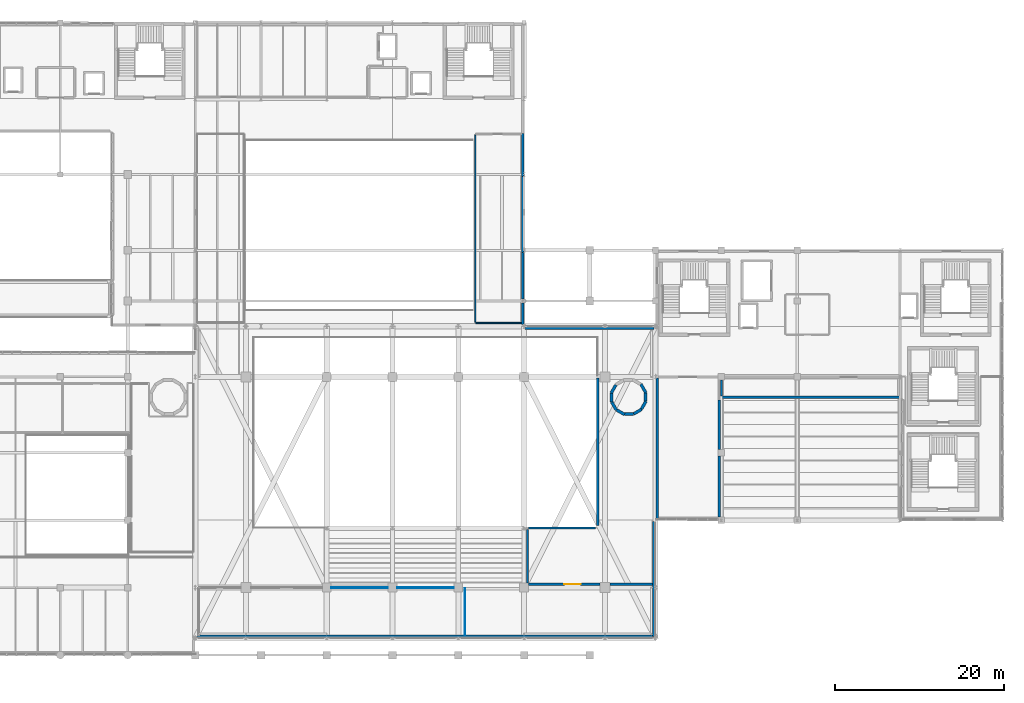
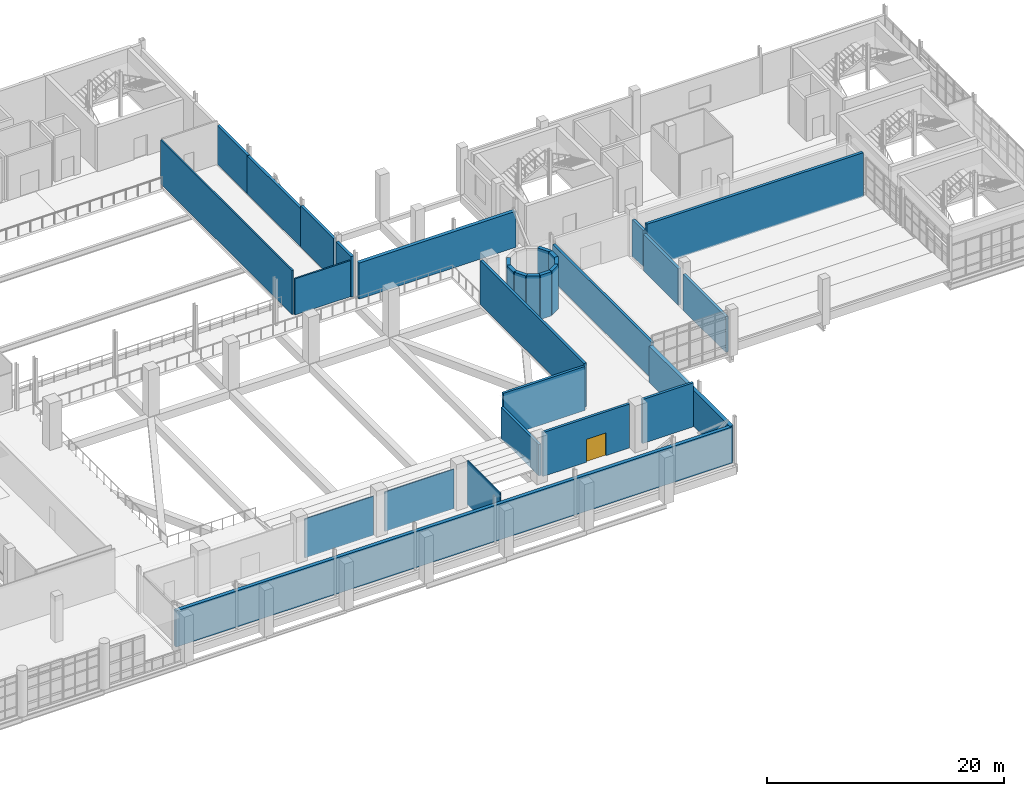
# One storey, part 88 of 100: 31 walls, 1 door, 1 opening.
"""IFC4 building model written with IfcOpenShell, lengths in metres."""

import ifcopenshell
import ifcopenshell.guid

model = None  # the IFC model being written
_history = None  # IfcOwnerHistory: only IFC2X3 demands one
_inside = {}  # id of a spatial element -> (the spatial element, [elements in it])
_under = {}  # id of a project, library or spatial element -> (it, [spatial elements below it])
_declared = {}  # id of a project -> (the project, [libraries it declares])
_typed = {}  # id of a type object -> (the type object, [elements of that type])
_made_of = {}  # id of a material, layer set ... -> (it, [elements and type objects made of it])


def new_model(schema):
    """Start an empty IFC model of exactly this schema.

    Asked for "IFC4X3", IfcOpenShell would pick the latest addendum, in which some entities
    have other attributes; the version numbers below select the first issue.
    IFC2X3 requires an IfcOwnerHistory on every rooted entity: one is made here for all.
    """
    global model, _history
    if schema == "IFC4X3":
        model = ifcopenshell.file(schema_version=(4, 3, 0, 0))
    else:
        model = ifcopenshell.file(schema=schema)
    _inside.clear()
    _under.clear()
    _declared.clear()
    _typed.clear()
    _made_of.clear()
    _history = None
    if model.schema == "IFC2X3":
        org = make("IfcOrganization", Name="unknown")
        user = make(
            "IfcPersonAndOrganization",
            ThePerson=make("IfcPerson", FamilyName="unknown"),
            TheOrganization=org,
        )
        app = make(
            "IfcApplication",
            ApplicationDeveloper=org,
            Version="unknown",
            ApplicationFullName="unknown",
            ApplicationIdentifier="unknown",
        )
        _history = make(
            "IfcOwnerHistory",
            OwningUser=user,
            OwningApplication=app,
            ChangeAction="ADDED",
            CreationDate=0,
        )
    return model


def make(cls, **values):
    """One entity of the class cls with the attributes given. An attribute that is None is left unset."""
    return model.create_entity(
        cls, **{name: value for name, value in values.items() if value is not None}
    )


def rooted(cls, **values):
    """An entity with a GlobalId (a new one), such as an element, a storey or a relation."""
    return make(cls, GlobalId=ifcopenshell.guid.new(), OwnerHistory=_history, **values)


def si_unit(unit_type, name, prefix=None):
    """IfcSIUnit, for example si_unit("LENGTHUNIT", "METRE", prefix="MILLI")."""
    return make("IfcSIUnit", UnitType=unit_type, Prefix=prefix, Name=name)


def derived_unit(unit_type, elements):
    """IfcDerivedUnit: a product of units, each with its exponent."""
    return make(
        "IfcDerivedUnit",
        Elements=[
            make("IfcDerivedUnitElement", Unit=unit, Exponent=power)
            for unit, power in elements
        ],
        UnitType=unit_type,
    )


def assignment(units):
    """IfcUnitAssignment: the units of a project."""
    return None if units is None else make("IfcUnitAssignment", Units=units)


def point(xyz):
    """IfcCartesianPoint."""
    return None if xyz is None else make("IfcCartesianPoint", Coordinates=xyz)


def direction(xyz):
    """IfcDirection."""
    return None if xyz is None else make("IfcDirection", DirectionRatios=xyz)


def frame(location, z_axis=None, x_axis=None):
    """IfcAxis2Placement3D, a coordinate frame: its origin and axes. An axis left out is left unset."""
    return make(
        "IfcAxis2Placement3D",
        Location=point(location),
        Axis=direction(z_axis),
        RefDirection=direction(x_axis),
    )


def frame_2d(location, x_axis=None):
    """IfcAxis2Placement2D, a coordinate frame in the plane: its origin and x axis."""
    return make(
        "IfcAxis2Placement2D", Location=point(location), RefDirection=direction(x_axis)
    )


def origin():
    """The frame at (0, 0, 0) with its axes left unset."""
    return frame((0.0, 0.0, 0.0))


def place(relative_to, where):
    """IfcLocalPlacement: puts the frame where relative to a parent placement (None: the world)."""
    return make(
        "IfcLocalPlacement", PlacementRelTo=relative_to, RelativePlacement=where
    )


def context(
    kind, dimensions, precision=None, world=None, true_north=None, identifier=None
):
    """IfcGeometricRepresentationContext, for example the 3D "Model" context."""
    return make(
        "IfcGeometricRepresentationContext",
        ContextIdentifier=identifier,
        ContextType=kind,
        CoordinateSpaceDimension=dimensions,
        Precision=precision,
        WorldCoordinateSystem=world,
        TrueNorth=true_north,
    )


def subcontext(parent, identifier, kind, view, scale=None):
    """IfcGeometricRepresentationSubContext, for example "Body" below "Model"."""
    return make(
        "IfcGeometricRepresentationSubContext",
        ContextIdentifier=identifier,
        ContextType=kind,
        ParentContext=parent,
        TargetScale=scale,
        TargetView=view,
    )


def project(units=None, contexts=None):
    """IfcProject with its units and contexts."""
    return rooted(
        "IfcProject",
        Name="project",
        RepresentationContexts=contexts,
        UnitsInContext=assignment(units),
    )


def spatial(cls, under=None, at=None, **own):
    """A site, building, storey or space (cls), placed at a placement, below another one or the project."""
    s = rooted(cls, ObjectPlacement=at, **own)
    if under is not None:
        _under.setdefault(under.id(), (under, []))[1].append(s)
    return s


def profile(cls, at=None, kind="AREA", **sizes):
    """A parametric profile (cls). Its sizes go by their IFC names, for example OverallWidth=200.0."""
    return make(cls, ProfileType=kind, Position=at, **sizes)


def rectangle(**sizes):
    """IfcRectangleProfileDef."""
    return profile("IfcRectangleProfileDef", **sizes)


def extrude(swept, where, along, depth):
    """IfcExtrudedAreaSolid: the profile swept, set in the frame where, extruded along a direction by depth."""
    return make(
        "IfcExtrudedAreaSolid",
        SweptArea=swept,
        Position=where,
        ExtrudedDirection=direction(along),
        Depth=depth,
    )


def shape(context_of_items, identifier, shape_type, items):
    """IfcShapeRepresentation: the items that make up one representation, for example the "Body"."""
    return make(
        "IfcShapeRepresentation",
        ContextOfItems=context_of_items,
        RepresentationIdentifier=identifier,
        RepresentationType=shape_type,
        Items=items,
    )


def material(Name=None, Category=None):
    """IfcMaterial."""
    return make("IfcMaterial", Name=Name, Category=Category)


def layer(
    of_material, thickness, ventilated=None, Name=None, Category=None, Priority=None
):
    """IfcMaterialLayer: one layer of a wall or slab, of a material (None: an air gap)."""
    return make(
        "IfcMaterialLayer",
        Material=of_material,
        LayerThickness=thickness,
        IsVentilated=ventilated,
        Name=Name,
        Category=Category,
        Priority=Priority,
    )


def layer_set(layers, Name=None):
    """IfcMaterialLayerSet."""
    return make("IfcMaterialLayerSet", MaterialLayers=layers, LayerSetName=Name)


def made_of(thing, what):
    """Note that an element or type object is made of a material, layer set ...; save() writes the relation."""
    if what is not None:
        _made_of.setdefault(what.id(), (what, []))[1].append(thing)
    return thing


def type_object(cls, material=None, **own):
    """A type object (cls), such as IfcWallType, which elements share."""
    return made_of(rooted(cls, **own), material)


def element(
    cls,
    number,
    at=None,
    inside=None,
    cuts=None,
    type_object=None,
    material=None,
    context=None,
    identifier="Body",
    shape_type=None,
    held_by="IfcProductDefinitionShape",
    body=None,
    shapes=None,
    **own,
):
    """One element of the class cls, such as IfcWall. Its Tag is "e" and its number.

    at: its placement. inside: the storey or other place that contains it. cuts: it is an
    opening in that element (IfcRelVoidsElement). A single representation is given by context,
    identifier, shape_type and body (its items); several are given by shapes. held_by: the class
    of the entity that holds the representations. save() writes the other relations.
    """
    e = rooted(cls, Tag="e%d" % number, ObjectPlacement=at, **own)
    if body is not None:
        shapes = [shape(context, identifier, shape_type, body)]
    if shapes is not None:
        e.Representation = make(held_by, Representations=shapes)
    if inside is not None:
        _inside.setdefault(inside.id(), (inside, []))[1].append(e)
    if cuts is not None:
        rooted(
            "IfcRelVoidsElement", RelatingBuildingElement=cuts, RelatedOpeningElement=e
        )
    if type_object is not None:
        _typed.setdefault(type_object.id(), (type_object, []))[1].append(e)
    return made_of(e, material)


def fill(opening, filler):
    """IfcRelFillsElement: the door or window that sits in an opening."""
    return rooted(
        "IfcRelFillsElement",
        RelatingOpeningElement=opening,
        RelatedBuildingElement=filler,
    )


def aggregate(whole, parts):
    """IfcRelAggregates: a whole, such as a stair, and the parts it consists of."""
    return rooted("IfcRelAggregates", RelatingObject=whole, RelatedObjects=parts)


def save(model, path):
    """Write the relations noted so far, then the file.

    IfcRelAggregates (storeys below a building ...), IfcRelContainedInSpatialStructure (elements
    in a storey), IfcRelDefinesByType, IfcRelAssociatesMaterial and IfcRelDeclares: one each for
    every whole, place, type object, material and project.
    """
    for whole, parts in _under.values():
        aggregate(whole, parts)
    for where, things in _inside.values():
        rooted(
            "IfcRelContainedInSpatialStructure",
            RelatedElements=things,
            RelatingStructure=where,
        )
    for kind, things in _typed.values():
        rooted("IfcRelDefinesByType", RelatedObjects=things, RelatingType=kind)
    for what, things in _made_of.values():
        rooted("IfcRelAssociatesMaterial", RelatedObjects=things, RelatingMaterial=what)
    for by, libraries in _declared.values():
        rooted("IfcRelDeclares", RelatingContext=by, RelatedDefinitions=libraries)
    model.write(path)


model = new_model("IFC4")

# Units and contexts
model_context = context("Model", 3, precision=1e-05, world=origin(), true_north=direction((0.0, 1.0)))
body_context = subcontext(model_context, "Body", "Model", "MODEL_VIEW")
ifc_project = project(units=[si_unit("LENGTHUNIT", "METRE"), si_unit("AREAUNIT", "SQUARE_METRE"), si_unit("VOLUMEUNIT", "CUBIC_METRE"), si_unit("PLANEANGLEUNIT", "RADIAN"), si_unit("MASSUNIT", "GRAM", prefix="KILO"), derived_unit("THERMALTRANSMITTANCEUNIT", [(si_unit("POWERUNIT", "WATT"), 1), (si_unit("LENGTHUNIT", "METRE"), -2), (si_unit("THERMODYNAMICTEMPERATUREUNIT", "KELVIN"), -1)])], contexts=[model_context])

# Site, building, storey
site_placement = place(None, origin())
site = spatial("IfcSite", under=ifc_project, at=site_placement, CompositionType="ELEMENT")
building_placement = place(site_placement, origin())
building = spatial("IfcBuilding", under=site, at=building_placement, Name="Nallur Shell Playhouse", CompositionType="ELEMENT")
storey_placement = place(building_placement, frame((0.0, 0.0, 10.199951171875)))
storey = spatial("IfcBuildingStorey", under=building, at=storey_placement, Name="L03", CompositionType="ELEMENT", Elevation=10.199951171875)

# Walls
ifc_material_1 = material(Name="Concrete M45", Category="concrete")
ifc_layer_1 = layer(ifc_material_1, 0.39990234375)
ifc_layer_set_1 = layer_set([ifc_layer_1], Name="Concrete M45")
wall_type_1 = type_object("IfcWallType", Name="WL-CORE-400", PredefinedType="SHEAR", material=ifc_layer_set_1)
wall_1_placement = place(storey_placement, frame((117.46142578125, 39.08642578125, 0.0), z_axis=(0.0, 0.0, 1.0), x_axis=(-0.500080723117, 0.865978793255, 0.0)))
element("IfcWall", 1, at=wall_1_placement, inside=storey, type_object=wall_type_1, Name="Metabolist service drum DR-2 facet 1 (L03)", PredefinedType="SHEAR", context=body_context, shape_type="SweptSolid", body=[
    extrude(rectangle(XDim=1.218994140625, YDim=0.35009765625, at=frame_2d((0.609375, 0.0))), origin(), (0.0, 0.0, 1.0), 4.5400390625),
])
for number, where, z_axis, x_axis, name in (
    (2, (113.885009765625, 40.032958984375, 0.0), (0.0, 0.0, 1.0), (-0.499935162227, -0.866062834654, 0.0), "Metabolist service drum DR-2 facet 5 (L03)"),
    (3, (113.37158203125, 39.08349609375, 0.0), (0.0, 0.0, 1.0), (0.0, -1.0, 0.0), "Metabolist service drum DR-2 facet 6 (L03)"),
    (4, (113.401611328125, 38.00439453125, 0.0), (0.0, 0.0, 1.0), (0.499935162227, -0.866062834654, 0.0), "Metabolist service drum DR-2 facet 7 (L03)"),
    (5, (113.967041015625, 37.085205078125, 0.0), (0.0, 0.0, 1.0), (0.865966109163, -0.500102687236, 0.0), "Metabolist service drum DR-2 facet 8 (L03)"),
    (6, (114.91650390625, 36.571533203125, 0.0), (0.0, 0.0, 1.0), (1.0, 0.0, 0.0), "Metabolist service drum DR-2 facet 9 (L03)"),
    (7, (115.99560546875, 36.6015625, 0.0), (0.0, 0.0, 1.0), (0.865966109163, 0.500102687236, 0.0), "Metabolist service drum DR-2 facet 10 (L03)"),
    (8, (116.914794921875, 37.1669921875, 0.0), (0.0, 0.0, 1.0), (0.500102687236, 0.865966109163, 0.0), "Metabolist service drum DR-2 facet 11 (L03)"),
):
    element("IfcWall", number, at=place(storey_placement, frame(where, z_axis=z_axis, x_axis=x_axis)), inside=storey, type_object=wall_type_1, Name=name, PredefinedType="SHEAR", context=body_context, shape_type="SweptSolid", body=[
        extrude(rectangle(XDim=1.093017578125, YDim=0.35009765625, at=frame_2d((0.54638671875, 0.0))), origin(), (0.0, 0.0, 1.0), 4.5400390625),
    ])
wall_2_placement = place(storey_placement, frame((117.428466796875, 38.116455078125, 0.0), z_axis=(0.0, 0.0, 1.0), x_axis=(0.0, 1.0, 0.0)))
element("IfcWall", 9, at=wall_2_placement, inside=storey, type_object=wall_type_1, Name="Metabolist service drum DR-2 facet 12 (L03)", PredefinedType="SHEAR", context=body_context, shape_type="SweptSolid", body=[
    extrude(rectangle(XDim=0.967041015625, YDim=0.35009765625, at=frame_2d((0.4833984375, 0.0))), origin(), (0.0, 0.0, 1.0), 4.5400390625),
])
ifc_material_2 = material(Name="Concrete M35", Category="concrete")
ifc_layer_2 = layer(ifc_material_2, 0.35009765625)
ifc_layer_set_2 = layer_set([ifc_layer_2], Name="Concrete M35")
wall_type_2 = type_object("IfcWallType", Name="WL-EXT-AC350", PredefinedType="STANDARD", material=ifc_layer_set_2)
wall_3_placement = place(storey_placement, frame((103.12890625, 46.804931640625, 0.0), z_axis=(0.0, 0.0, 1.0), x_axis=(1.0, 0.0, 0.0)))
element("IfcWall", 10, at=wall_3_placement, inside=storey, type_object=wall_type_2, Name="L03 exterior wall EW-L03-144", PredefinedType="STANDARD", context=body_context, shape_type="SweptSolid", body=[
    extrude(rectangle(XDim=15.2861328125, YDim=0.35009765625, at=frame_2d((7.64306640625, 0.0))), origin(), (0.0, 0.0, 1.0), 3.72509765625),
])
wall_4_placement = place(storey_placement, frame((118.405029296875, 23.81494140625, 0.0), z_axis=(0.0, 0.0, 1.0), x_axis=(0.0, -1.0, 0.0)))
element("IfcWall", 11, at=wall_4_placement, inside=storey, type_object=wall_type_2, Name="L03 exterior wall EW-L03-154", PredefinedType="STANDARD", context=body_context, shape_type="SweptSolid", body=[
    extrude(rectangle(XDim=13.6298828125, YDim=0.35009765625, at=frame_2d((6.81494140625, 0.0))), origin(), (0.0, 0.0, 1.0), 3.72509765625),
])
wall_5_placement = place(storey_placement, frame((118.4150390625, 10.195068359375, 0.0), z_axis=(0.0, 0.0, 1.0), x_axis=(-1.0, 0.0, 0.0)))
element("IfcWall", 12, at=wall_5_placement, inside=storey, type_object=wall_type_2, Name="L03 exterior wall EW-L03-155", PredefinedType="STANDARD", context=body_context, shape_type="SweptSolid", body=[
    extrude(rectangle(XDim=54.22998046875, YDim=0.35009765625, at=frame_2d((27.114990234375, 0.0))), origin(), (0.0, 0.0, 1.0), 3.72509765625),
])
ifc_material_3 = material(Name="Precast concrete M40", Category="concrete")
ifc_layer_3 = layer(ifc_material_3, 0.260009765625)
ifc_layer_set_3 = layer_set([ifc_layer_3], Name="Precast concrete M40")
wall_type_3 = type_object("IfcWallType", Name="WL-EXT-CLAD260", PredefinedType="ELEMENTEDWALL", material=ifc_layer_set_3)
wall_6_placement = place(storey_placement, frame((102.85009765625, 69.860107421875, 0.0), z_axis=(0.0, 0.0, 1.0), x_axis=(0.0, -1.0, 0.0)))
element("IfcWall", 13, at=wall_6_placement, inside=storey, type_object=wall_type_3, Name="L03 exterior wall EW-L03-140", PredefinedType="ELEMENTEDWALL", context=body_context, shape_type="SweptSolid", body=[
    extrude(rectangle(XDim=5.093017578125, YDim=0.260009765625, at=frame_2d((2.54638671875, 0.0))), origin(), (0.0, 0.0, 1.0), 3.97509765625),
])
wall_7_placement = place(storey_placement, frame((102.85009765625, 64.76708984375, 0.0), z_axis=(0.0, 0.0, 1.0), x_axis=(0.0, -1.0, 0.0)))
element("IfcWall", 14, at=wall_7_placement, inside=storey, type_object=wall_type_3, Name="L03 exterior wall EW-L03-141", PredefinedType="ELEMENTEDWALL", context=body_context, shape_type="SweptSolid", body=[
    extrude(rectangle(XDim=9.0, YDim=0.260009765625, at=frame_2d((4.5, 0.0))), origin(), (0.0, 0.0, 1.0), 3.925048828125),
])
wall_8_placement = place(storey_placement, frame((102.85009765625, 55.76708984375, 0.0), z_axis=(0.0, 0.0, 1.0), x_axis=(0.0, -1.0, 0.0)))
element("IfcWall", 15, at=wall_8_placement, inside=storey, type_object=wall_type_3, Name="L03 exterior wall EW-L03-142", PredefinedType="ELEMENTEDWALL", context=body_context, shape_type="SweptSolid", body=[
    extrude(rectangle(XDim=5.5341796875, YDim=0.260009765625, at=frame_2d((2.76708984375, 0.0))), origin(), (0.0, 0.0, 1.0), 4.22509765625),
])
wall_9_placement = place(storey_placement, frame((102.85009765625, 49.76708984375, 0.0), z_axis=(0.0, 0.0, 1.0), x_axis=(0.0, -1.0, 0.0)))
element("IfcWall", 16, at=wall_9_placement, inside=storey, type_object=wall_type_3, Name="L03 exterior wall EW-L03-143", PredefinedType="ELEMENTEDWALL", context=body_context, shape_type="SweptSolid", body=[
    extrude(rectangle(XDim=2.5341796875, YDim=0.260009765625, at=frame_2d((1.26708984375, 0.0))), origin(), (0.0, 0.0, 1.0), 4.175048828125),
])
wall_10_placement = place(storey_placement, frame((126.14990234375, 38.260009765625, 0.0), z_axis=(0.0, 0.0, 1.0), x_axis=(0.0, -1.0, 0.0)))
element("IfcWall", 17, at=wall_10_placement, inside=storey, type_object=wall_type_3, Name="L03 exterior wall EW-L03-152", PredefinedType="ELEMENTEDWALL", context=body_context, shape_type="SweptSolid", body=[
    extrude(rectangle(XDim=5.876953125, YDim=0.260009765625, at=frame_2d((2.9384765625, 0.0))), origin(), (0.0, 0.0, 1.0), 3.775146484375),
])
wall_11_placement = place(storey_placement, frame((126.14990234375, 31.616943359375, 0.0), z_axis=(0.0, 0.0, 1.0), x_axis=(0.0, -1.0, 0.0)))
element("IfcWall", 18, at=wall_11_placement, inside=storey, type_object=wall_type_3, Name="L03 exterior wall EW-L03-153", PredefinedType="ELEMENTEDWALL", context=body_context, shape_type="SweptSolid", body=[
    extrude(rectangle(XDim=7.23388671875, YDim=0.260009765625, at=frame_2d((3.616943359375, 0.0))), origin(), (0.0, 0.0, 1.0), 3.675048828125),
])
ifc_material_4 = material(Name="Concrete M30", Category="concrete")
ifc_layer_4 = layer(ifc_material_4, 0.280029296875)
ifc_layer_set_4 = layer_set([ifc_layer_4], Name="Concrete M30")
wall_type_4 = type_object("IfcWallType", Name="WL-EXT-INS280", PredefinedType="STANDARD", material=ifc_layer_set_4)
wall_12_placement = place(storey_placement, frame((147.550048828125, 38.56005859375, 0.0), z_axis=(0.0, 0.0, 1.0), x_axis=(-1.0, 0.0, 0.0)))
element("IfcWall", 19, at=wall_12_placement, inside=storey, type_object=wall_type_4, Name="L03 exterior wall EW-L03-151", PredefinedType="STANDARD", context=body_context, shape_type="SweptSolid", body=[
    extrude(rectangle(XDim=21.10009765625, YDim=0.280029296875, at=frame_2d((10.550048828125, 0.0))), origin(), (0.0, 0.0, 1.0), 4.5400390625),
])
ifc_layer_5 = layer(ifc_material_4, 0.25)
ifc_layer_set_5 = layer_set([ifc_layer_5], Name="Concrete M30")
wall_type_5 = type_object("IfcWallType", Name="WL-PART-AC250", PredefinedType="PARTITIONING", material=ifc_layer_set_5)
wall_13_placement = place(storey_placement, frame((118.22607421875, 16.39990234375, 0.0), z_axis=(0.0, 0.0, 1.0), x_axis=(-1.0, 0.0, 0.0)))
element("IfcWall", 20, at=wall_13_placement, inside=storey, type_object=wall_type_5, Name="Main Theatre Dress Circle Auditorium Tier partition IW-L03-0205", PredefinedType="PARTITIONING", context=body_context, shape_type="SweptSolid", body=[
    extrude(rectangle(XDim=5.010986328125, YDim=0.25, at=frame_2d((2.50537109375, 0.0))), origin(), (0.0, 0.0, 1.0), 4.530029296875),
])

# Wall, opening, door
wall_14_placement = place(storey_placement, frame((111.985107421875, 16.39990234375, 0.0), z_axis=(0.0, 0.0, 1.0), x_axis=(-1.0, 0.0, 0.0)))
wall_14 = element("IfcWall", 21, at=wall_14_placement, inside=storey, type_object=wall_type_5, Name="Main Theatre Dress Circle Auditorium Tier partition IW-L03-0206", PredefinedType="PARTITIONING", context=body_context, shape_type="SweptSolid", body=[
    extrude(rectangle(XDim=8.440185546875, YDim=0.25, at=frame_2d((4.22021484375, 0.0))), origin(), (0.0, 0.0, 1.0), 4.530029296875),
])
opening_placement = place(wall_14_placement, frame((2.2890625, 0.0, 0.0)))
opening = element("IfcOpeningElement", 22, at=opening_placement, cuts=wall_14, Name="Opening AD-02", PredefinedType="OPENING", context=body_context, shape_type="SweptSolid", body=[
    extrude(rectangle(XDim=1.89990234375, YDim=2.35009765625, at=frame_2d((0.949951171875, 1.175048828125))), frame((0.0, 0.135009765625, 0.0), z_axis=(0.0, -1.0, 0.0), x_axis=(1.0, 0.0, 0.0)), (0.0, 0.0, 1.0), 0.27001953125),
])
ifc_material_5 = material(Name="Acoustic Timber Sound-Lock Double Door", Category="wood")
door_type = type_object("IfcDoorType", Name="DR-INT-AUD-DBR", OperationType="DOUBLE_SWING_RIGHT", PredefinedType="DOOR", material=ifc_material_5)
door_placement = place(opening_placement, origin())
door = element("IfcDoor", 23, at=door_placement, inside=storey, type_object=door_type, Name="Main Theatre Dress Circle Auditorium Tier vomitory door 1", OperationType="DOUBLE_SWING_RIGHT", OverallHeight=2.35009765625, OverallWidth=1.89990234375, PredefinedType="DOOR", context=body_context, shape_type="SweptSolid", body=[
    extrude(rectangle(XDim=1.89990234375, YDim=2.35009765625, at=frame_2d((0.949951171875, 1.175048828125))), frame((0.0, 0.02490234375, 0.0), z_axis=(0.0, -1.0, 0.0), x_axis=(1.0, 0.0, 0.0)), (0.0, 0.0, 1.0), 0.050048828125),
])
fill(opening, door)

# Walls
wall_15_placement = place(storey_placement, frame((103.39990234375, 16.544921875, 0.0), z_axis=(0.0, 0.0, 1.0), x_axis=(0.0, 1.0, 0.0)))
element("IfcWall", 24, at=wall_15_placement, inside=storey, type_object=wall_type_5, Name="Main Theatre Dress Circle Auditorium Tier partition IW-L03-0207", PredefinedType="PARTITIONING", context=body_context, shape_type="SweptSolid", body=[
    extrude(rectangle(XDim=6.3701171875, YDim=0.25, at=frame_2d((3.18505859375, 0.0))), origin(), (0.0, 0.0, 1.0), 3.215087890625),
])
wall_16_placement = place(storey_placement, frame((103.544921875, 23.06005859375, 0.0), z_axis=(0.0, 0.0, 1.0), x_axis=(1.0, 0.0, 0.0)))
element("IfcWall", 25, at=wall_16_placement, inside=storey, type_object=wall_type_5, Name="Main Theatre Dress Circle Auditorium Tier partition IW-L03-0208", PredefinedType="PARTITIONING", context=body_context, shape_type="SweptSolid", body=[
    extrude(rectangle(XDim=7.91015625, YDim=0.25, at=frame_2d((3.955078125, 0.0))), origin(), (0.0, 0.0, 1.0), 4.530029296875),
])
wall_17_placement = place(storey_placement, frame((111.739990234375, 23.344970703125, 0.0), z_axis=(0.0, 0.0, 1.0), x_axis=(0.0, 1.0, 0.0)))
element("IfcWall", 26, at=wall_17_placement, inside=storey, type_object=wall_type_5, Name="Main Theatre Dress Circle Auditorium Tier partition IW-L03-0209", PredefinedType="PARTITIONING", context=body_context, shape_type="SweptSolid", body=[
    extrude(rectangle(XDim=17.510009765625, YDim=0.25, at=frame_2d((8.7548828125, 0.0))), origin(), (0.0, 0.0, 1.0), 4.530029296875),
])
wall_18_placement = place(storey_placement, frame((118.800048828125, 24.176025390625, 0.0), z_axis=(0.0, 0.0, 1.0), x_axis=(0.0, 1.0, 0.0)))
element("IfcWall", 27, at=wall_18_placement, inside=storey, type_object=wall_type_5, Name="260-Seat Courtyard Studio Theatre Auditorium partition IW-L03-0211", PredefinedType="PARTITIONING", context=body_context, shape_type="SweptSolid", body=[
    extrude(rectangle(XDim=16.678955078125, YDim=0.25, at=frame_2d((8.33935546875, 0.0))), origin(), (0.0, 0.0, 1.0), 3.719970703125),
])
wall_19_placement = place(storey_placement, frame((126.39990234375, 38.7451171875, 0.0), z_axis=(0.0, 0.0, 1.0), x_axis=(0.0, 1.0, 0.0)))
element("IfcWall", 28, at=wall_19_placement, inside=storey, type_object=wall_type_5, Name="Studio Theatre Stage & Wing Deck partition IW-L03-0215", PredefinedType="PARTITIONING", context=body_context, shape_type="SweptSolid", body=[
    extrude(rectangle(XDim=1.864990234375, YDim=0.25, at=frame_2d((0.9326171875, 0.0))), origin(), (0.0, 0.0, 1.0), 3.77001953125),
])
ifc_material_6 = material(Name="Double-Layer Fire-Rated Gypsum Stud Partition")
ifc_layer_6 = layer(ifc_material_6, 0.10009765625)
ifc_layer_set_6 = layer_set([ifc_layer_6], Name="Double-Layer Fire-Rated Gypsum Stud Partition")
wall_type_6 = type_object("IfcWallType", Name="WL-PART-DRY100", PredefinedType="PARTITIONING", material=ifc_layer_set_6)
wall_20_placement = place(storey_placement, frame((80.139892578125, 16.0, 0.0), z_axis=(0.0, 0.0, 1.0), x_axis=(1.0, 0.0, 0.0)))
element("IfcWall", 29, at=wall_20_placement, inside=storey, type_object=wall_type_6, Name="Dress Circle Cantilevered Promenade Foyer partition IW-L03-0227", PredefinedType="PARTITIONING", context=body_context, shape_type="SweptSolid", body=[
    extrude(rectangle(XDim=6.72021484375, YDim=0.10009765625, at=frame_2d((3.360107421875, 0.0))), origin(), (0.0, 0.0, 1.0), 4.02001953125),
])
wall_21_placement = place(storey_placement, frame((87.93994140625, 16.0, 0.0), z_axis=(0.0, 0.0, 1.0), x_axis=(1.0, 0.0, 0.0)))
element("IfcWall", 30, at=wall_21_placement, inside=storey, type_object=wall_type_6, Name="Dress Circle Cantilevered Promenade Foyer partition IW-L03-0228", PredefinedType="PARTITIONING", context=body_context, shape_type="SweptSolid", body=[
    extrude(rectangle(XDim=6.719970703125, YDim=0.10009765625, at=frame_2d((3.35986328125, 0.0))), origin(), (0.0, 0.0, 1.0), 4.070068359375),
])
wall_22_placement = place(storey_placement, frame((96.0, 15.929931640625, 0.0), z_axis=(0.0, 0.0, 1.0), x_axis=(0.0, -1.0, 0.0)))
element("IfcWall", 31, at=wall_22_placement, inside=storey, type_object=wall_type_6, Name="Dress Circle Cantilevered Promenade Foyer partition IW-L03-0229", PredefinedType="PARTITIONING", context=body_context, shape_type="SweptSolid", body=[
    extrude(rectangle(XDim=5.555908203125, YDim=0.10009765625, at=frame_2d((2.77783203125, 0.0))), origin(), (0.0, 0.0, 1.0), 4.530029296875),
])
ifc_material_7 = material(Name="Concrete M25 Fire Blockwork", Category="masonry")
ifc_layer_7 = layer(ifc_material_7, 0.14990234375)
ifc_layer_set_7 = layer_set([ifc_layer_7], Name="Concrete M25 Fire Blockwork")
wall_type_7 = type_object("IfcWallType", Name="WL-PART-FR150", PredefinedType="PARTITIONING", material=ifc_layer_set_7)
wall_23_placement = place(storey_placement, frame((102.716064453125, 47.39990234375, 0.0), z_axis=(0.0, 0.0, 1.0), x_axis=(-1.0, 0.0, 0.0)))
element("IfcWall", 32, at=wall_23_placement, inside=storey, type_object=wall_type_7, Name="Stage East Pin-Rail & Lighting Gallery partition IW-L03-0251", PredefinedType="PARTITIONING", context=body_context, shape_type="SweptSolid", body=[
    extrude(rectangle(XDim=5.421142578125, YDim=0.14990234375, at=frame_2d((2.71044921875, 0.0))), origin(), (0.0, 0.0, 1.0), 3.719970703125),
])
wall_24_placement = place(storey_placement, frame((97.199951171875, 47.4951171875, 0.0), z_axis=(0.0, 0.0, 1.0), x_axis=(0.0, 1.0, 0.0)))
element("IfcWall", 33, at=wall_24_placement, inside=storey, type_object=wall_type_7, Name="Stage East Pin-Rail & Lighting Gallery partition IW-L03-0252", PredefinedType="PARTITIONING", context=body_context, shape_type="SweptSolid", body=[
    extrude(rectangle(XDim=22.2099609375, YDim=0.14990234375, at=frame_2d((11.10498046875, 0.0))), origin(), (0.0, 0.0, 1.0), 4.530029296875),
])

save(model, "model.ifc")
